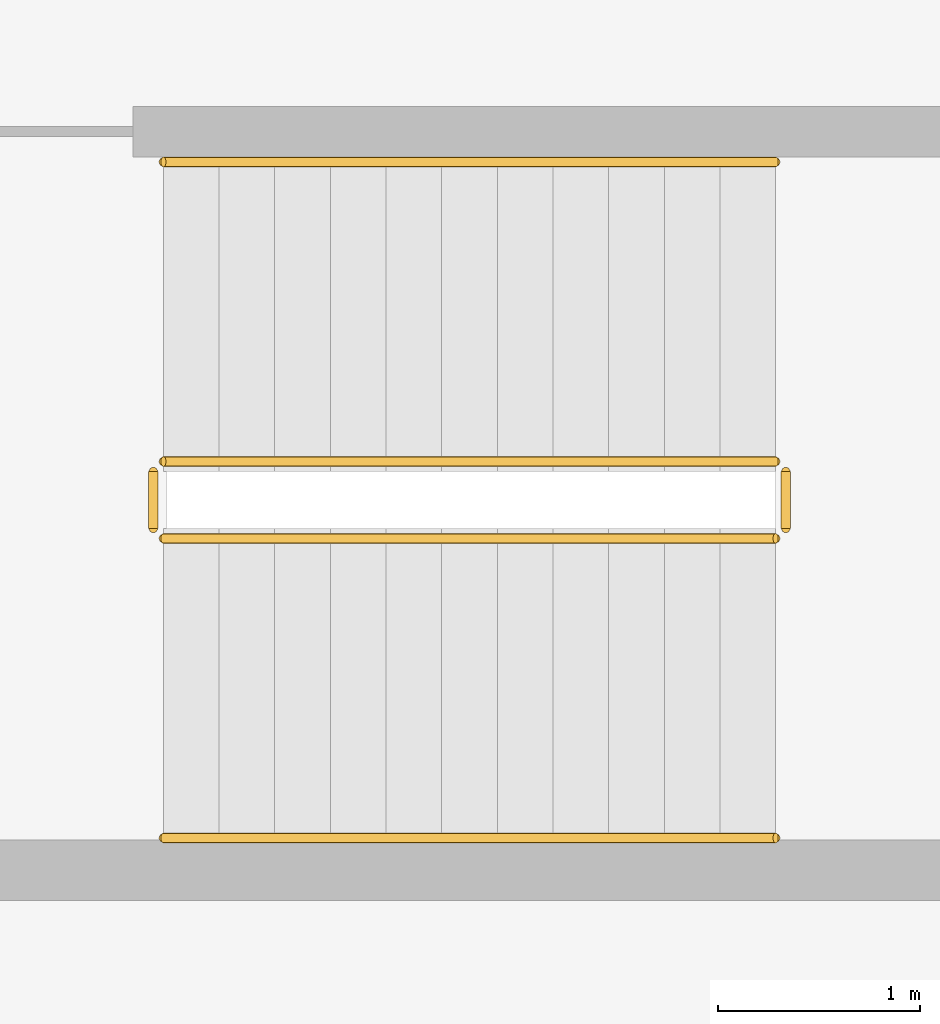
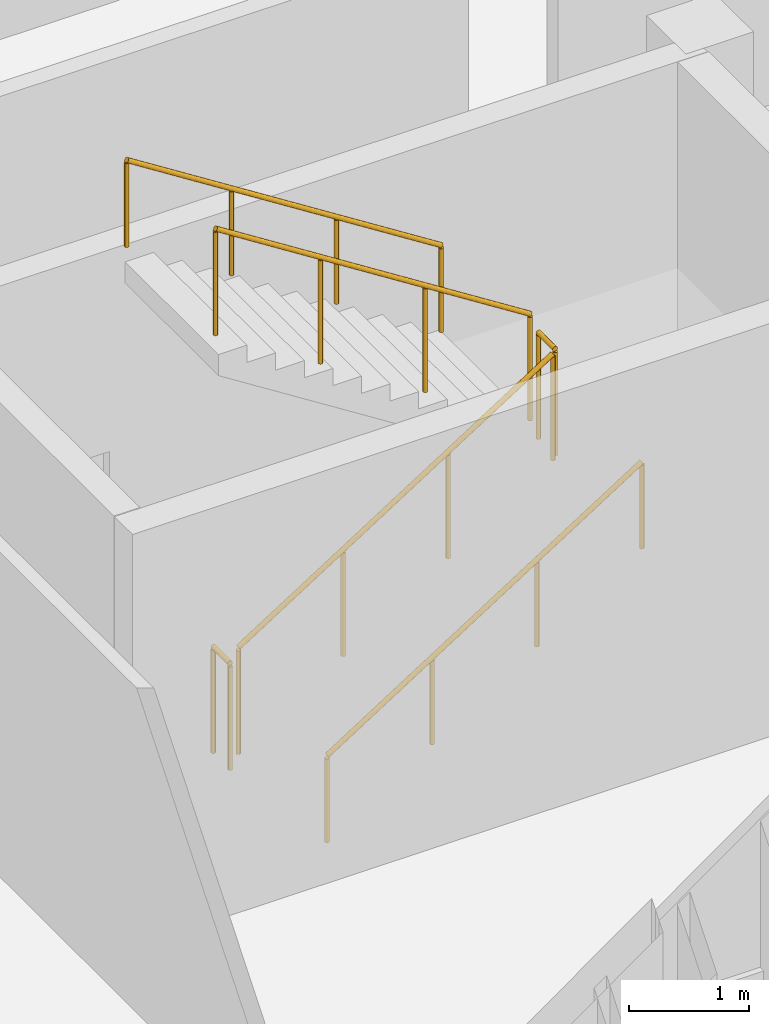
# One storey, part 61 of 63: 6 railings.
"""IFC4 building model written with IfcOpenShell, lengths in metres."""

from ifc_helpers import new_model, si_unit, direction, frame, origin, origin_2d, place, context, subcontext, project, spatial, circle, extrude, material, type_object, element, save


model = new_model("IFC4")

# Units and contexts
model_context = context("Model", 3, precision=1e-05, world=origin(), true_north=direction((0.0, 1.0)))
body_context = subcontext(model_context, "Body", "Model", "MODEL_VIEW")
ifc_project = project(units=[si_unit("LENGTHUNIT", "METRE"), si_unit("AREAUNIT", "SQUARE_METRE"), si_unit("VOLUMEUNIT", "CUBIC_METRE"), si_unit("PLANEANGLEUNIT", "RADIAN"), si_unit("MASSUNIT", "GRAM", prefix="KILO")], contexts=[model_context])

# Site, building, storey
site_placement = place(None, origin())
site = spatial("IfcSite", under=ifc_project, at=site_placement, CompositionType="ELEMENT")
building_placement = place(site_placement, origin())
building = spatial("IfcBuilding", under=site, at=building_placement, Name="Jelvoka-Kovrelna Polytechnic", CompositionType="ELEMENT")
storey_placement = place(building_placement, frame((0.0, 0.0, 18.0)))
storey = spatial("IfcBuildingStorey", under=building, at=storey_placement, Name="L05", CompositionType="ELEMENT", Elevation=18.0)

# Railings
ifc_material_1 = material(Name="Powder-coated steel stair guard", Category="steel")
railing_type_1 = type_object("IfcRailingType", Name="Railing_Stair_Guard_1100", PredefinedType="GUARDRAIL", material=ifc_material_1)
railing_1_placement = place(storey_placement, frame((122.25, 61.72998046875, 0.175048828125)))
element("IfcRailing", 1, at=railing_1_placement, inside=storey, type_object=railing_type_1, Name="L05 ST11 stair guard 1", PredefinedType="GUARDRAIL", context=body_context, shape_type="SweptSolid", body=[
    extrude(circle(Radius=0.02392578125, at=origin_2d()), frame((0.0, 0.0, 1.076171875), z_axis=(0.84364746871, 0.0, 0.536897521451), x_axis=(0.0, 1.0, 0.0)), (0.0, 0.0, 1.0), 3.58544921875),
    extrude(circle(Radius=0.02099609375, at=origin_2d()), origin(), (0.0, 0.0, 1.0), 1.052001953125),
    extrude(circle(Radius=0.02099609375, at=origin_2d()), frame((1.00830078125, 0.0, 0.6416015625)), (0.0, 0.0, 1.0), 1.052001953125),
    extrude(circle(Radius=0.02099609375, at=origin_2d()), frame((2.0166015625, 0.0, 1.283447265625)), (0.0, 0.0, 1.0), 1.052001953125),
    extrude(circle(Radius=0.02099609375, at=origin_2d()), frame((3.02490234375, 0.0, 1.925048828125)), (0.0, 0.0, 1.0), 1.052001953125),
])
railing_2_placement = place(storey_placement, frame((125.324951171875, 61.780029296875, 2.10009765625)))
element("IfcRailing", 2, at=railing_2_placement, inside=storey, type_object=railing_type_1, Name="L05 ST11 stair guard 2", PredefinedType="GUARDRAIL", context=body_context, shape_type="SweptSolid", body=[
    extrude(circle(Radius=0.02392578125, at=origin_2d()), frame((0.0, 0.0, 1.076171875), z_axis=(0.0, 1.0, 0.0), x_axis=(-1.0, 0.0, 0.0)), (0.0, 0.0, 1.0), 0.280029296875),
    extrude(circle(Radius=0.02099609375, at=origin_2d()), origin(), (0.0, 0.0, 1.0), 1.052001953125),
    extrude(circle(Radius=0.02099609375, at=origin_2d()), frame((0.0, 0.280029296875, 0.0)), (0.0, 0.0, 1.0), 1.052001953125),
])
railing_3_placement = place(storey_placement, frame((125.27490234375, 62.110107421875, 2.27490234375)))
element("IfcRailing", 3, at=railing_3_placement, inside=storey, type_object=railing_type_1, Name="L05 ST11 stair guard 3", PredefinedType="GUARDRAIL", context=body_context, shape_type="SweptSolid", body=[
    extrude(circle(Radius=0.02392578125, at=origin_2d()), frame((0.0, 0.0, 1.076171875), z_axis=(-0.84364746871, 0.0, 0.536897521451), x_axis=(0.0, -1.0, 0.0)), (0.0, 0.0, 1.0), 3.58544921875),
    extrude(circle(Radius=0.02099609375, at=origin_2d()), origin(), (0.0, 0.0, 1.0), 1.052001953125),
    extrude(circle(Radius=0.02099609375, at=origin_2d()), frame((-1.00830078125, 0.0, 0.6416015625)), (0.0, 0.0, 1.0), 1.052001953125),
    extrude(circle(Radius=0.02099609375, at=origin_2d()), frame((-2.0166015625, 0.0, 1.283447265625)), (0.0, 0.0, 1.0), 1.052001953125),
    extrude(circle(Radius=0.02099609375, at=origin_2d()), frame((-3.02490234375, 0.0, 1.925048828125)), (0.0, 0.0, 1.0), 1.052001953125),
])
railing_4_placement = place(storey_placement, frame((122.199951171875, 61.780029296875, 0.0)))
element("IfcRailing", 4, at=railing_4_placement, inside=storey, type_object=railing_type_1, Name="L05 ST11 stair guard 4", PredefinedType="GUARDRAIL", context=body_context, shape_type="SweptSolid", body=[
    extrude(circle(Radius=0.02392578125, at=origin_2d()), frame((0.0, 0.0, 1.076171875), z_axis=(0.0, 1.0, 0.0), x_axis=(-1.0, 0.0, 0.0)), (0.0, 0.0, 1.0), 0.280029296875),
    extrude(circle(Radius=0.02099609375, at=origin_2d()), origin(), (0.0, 0.0, 1.0), 1.052001953125),
    extrude(circle(Radius=0.02099609375, at=origin_2d()), frame((0.0, 0.280029296875, 0.0)), (0.0, 0.0, 1.0), 1.052001953125),
])
ifc_material_2 = material(Name="Brushed stainless steel handrail", Category="steel")
railing_type_2 = type_object("IfcRailingType", Name="Railing_Stair_Handrail_900", PredefinedType="HANDRAIL", material=ifc_material_2)
railing_5_placement = place(storey_placement, frame((122.25, 60.25, 0.175048828125)))
element("IfcRailing", 5, at=railing_5_placement, inside=storey, type_object=railing_type_2, Name="L05 ST11 stair handrail 1", PredefinedType="HANDRAIL", context=body_context, shape_type="SweptSolid", body=[
    extrude(circle(Radius=0.02392578125, at=origin_2d()), frame((0.0, 0.0, 0.8759765625), z_axis=(0.84364746871, 0.0, 0.536897521451), x_axis=(0.0, 1.0, 0.0)), (0.0, 0.0, 1.0), 3.58544921875),
    extrude(circle(Radius=0.02099609375, at=origin_2d()), origin(), (0.0, 0.0, 1.0), 0.851806640625),
    extrude(circle(Radius=0.02099609375, at=origin_2d()), frame((1.00830078125, 0.0, 0.6416015625)), (0.0, 0.0, 1.0), 0.851806640625),
    extrude(circle(Radius=0.02099609375, at=origin_2d()), frame((2.0166015625, 0.0, 1.283447265625)), (0.0, 0.0, 1.0), 0.851806640625),
    extrude(circle(Radius=0.02099609375, at=origin_2d()), frame((3.02490234375, 0.0, 1.925048828125)), (0.0, 0.0, 1.0), 0.851806640625),
])
railing_6_placement = place(storey_placement, frame((125.27490234375, 63.590087890625, 2.27490234375)))
element("IfcRailing", 6, at=railing_6_placement, inside=storey, type_object=railing_type_2, Name="L05 ST11 stair handrail 2", PredefinedType="HANDRAIL", context=body_context, shape_type="SweptSolid", body=[
    extrude(circle(Radius=0.02392578125, at=origin_2d()), frame((0.0, 0.0, 0.8759765625), z_axis=(-0.84364746871, 0.0, 0.536897521451), x_axis=(0.0, -1.0, 0.0)), (0.0, 0.0, 1.0), 3.58544921875),
    extrude(circle(Radius=0.02099609375, at=origin_2d()), origin(), (0.0, 0.0, 1.0), 0.851806640625),
    extrude(circle(Radius=0.02099609375, at=origin_2d()), frame((-1.00830078125, 0.0, 0.6416015625)), (0.0, 0.0, 1.0), 0.851806640625),
    extrude(circle(Radius=0.02099609375, at=origin_2d()), frame((-2.0166015625, 0.0, 1.283447265625)), (0.0, 0.0, 1.0), 0.851806640625),
    extrude(circle(Radius=0.02099609375, at=origin_2d()), frame((-3.02490234375, 0.0, 1.925048828125)), (0.0, 0.0, 1.0), 0.851806640625),
])

save(model, "model.ifc")
